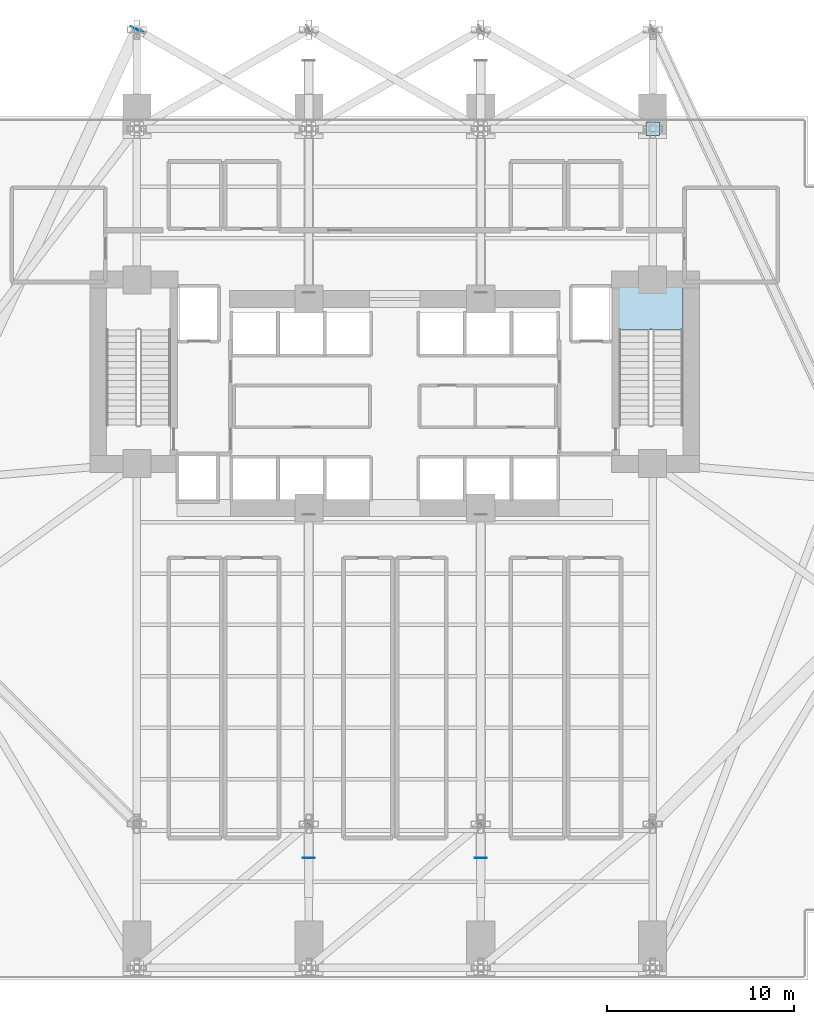
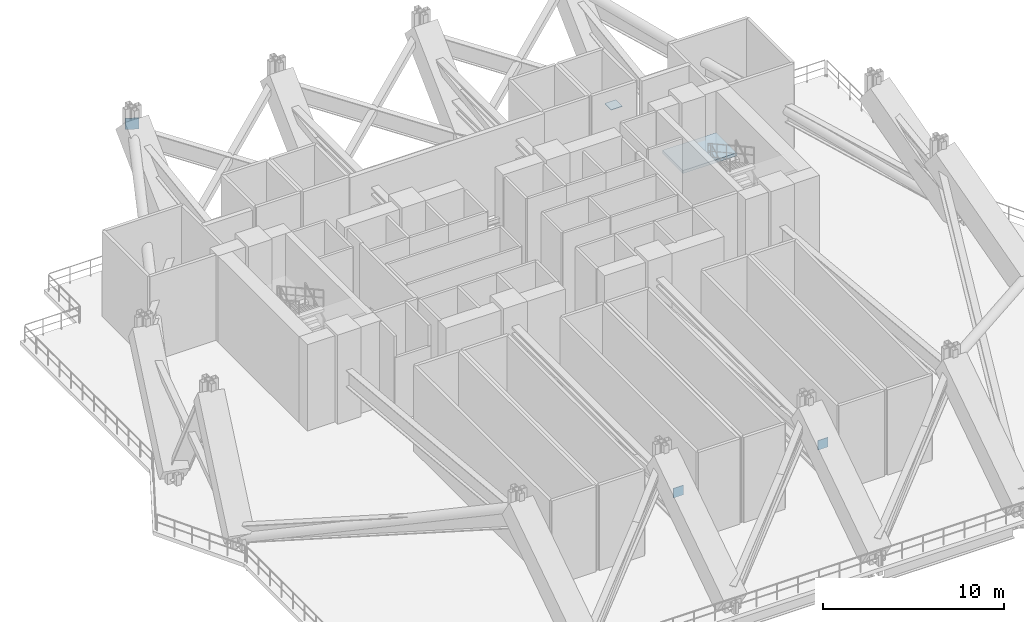
# One storey, part 9 of 21: 4 plates, 1 slab, 1 element without a shape of its own.
"""IFC4 building model written with IfcOpenShell, lengths in metres."""

from ifc_helpers import new_model, si_unit, direction, frame, origin, origin_2d, place, context, subcontext, project, spatial, polyline, rectangle, outline, extrude, material, layer, layer_set, type_object, element, aggregate, save


model = new_model("IFC4")

# Units and contexts
model_context = context("Model", 3, precision=1e-05, world=origin(), true_north=direction((0.0, 1.0)))
body_context = subcontext(model_context, "Body", "Model", "MODEL_VIEW")
ifc_project = project(units=[si_unit("LENGTHUNIT", "METRE"), si_unit("AREAUNIT", "SQUARE_METRE"), si_unit("VOLUMEUNIT", "CUBIC_METRE"), si_unit("PLANEANGLEUNIT", "RADIAN"), si_unit("MASSUNIT", "GRAM", prefix="KILO")], contexts=[model_context])

# Site, building, storey
site_placement = place(None, origin())
site = spatial("IfcSite", under=ifc_project, at=site_placement, CompositionType="ELEMENT")
building_placement = place(site_placement, origin())
building = spatial("IfcBuilding", under=site, at=building_placement, Name="Zuhayl Quay Hotel", CompositionType="ELEMENT")
storey_placement = place(building_placement, frame((0.0, 0.0, 89.64990234375)))
storey = spatial("IfcBuildingStorey", under=building, at=storey_placement, Name="L22", CompositionType="ELEMENT", Elevation=89.64990234375)

# Stair, slab
ifc_material_1 = material(Name="Concrete C45/55", Category="concrete")
stair_type = type_object("IfcStairType", Name="ST_DOGLEG_TOWER", PredefinedType="HALF_TURN_STAIR", material=ifc_material_1)
stair_placement = place(storey_placement, origin())
stair = element("IfcStair", 1, at=stair_placement, inside=storey, type_object=stair_type, Name="L22 Smokeproof Exit Stair ST2", PredefinedType="HALF_TURN_STAIR")
ifc_layer_1 = layer(ifc_material_1, 0.199951171875, Name="Concrete C45/55", Category="concrete")
ifc_layer_set_1 = layer_set([ifc_layer_1], Name="Concrete C45/55")
slab_type = type_object("IfcSlabType", Name="SL_STAIR_LANDING_200", PredefinedType="LANDING", material=ifc_layer_set_1)
slab_placement = place(storey_placement, frame((0.0, 0.0, 2.800048828125)))
slab = element("IfcSlab", 2, at=slab_placement, type_object=slab_type, Name="ST2 landing 1", PredefinedType="LANDING", context=body_context, shape_type="SweptSolid", body=[
    extrude(outline(polyline([(15.429931640625, 11.68994140625), (15.429931640625, 13.949951171875), (12.0, 13.949951171875), (12.0, 11.68994140625), (15.429931640625, 11.68994140625)])), origin(), (0.0, 0.0, 1.0), 0.199951171875),
])
aggregate(stair, [slab])

# Plates
ifc_material_2 = material(Name="Steel ASTM A572 Grade 50", Category="steel")
ifc_layer_2 = layer(ifc_material_2, 0.0400390625, Name="Steel ASTM A572 Grade 50", Category="steel")
ifc_layer_set_2 = layer_set([ifc_layer_2], Name="Steel ASTM A572 Grade 50")
plate_type = type_object("IfcPlateType", Name="TP_CAP_PLATE_40", PredefinedType="USERDEFINED", material=ifc_layer_set_2)
plate_1_placement = place(storey_placement, frame((13.800048828125, 22.449951171875, 0.24609375), z_axis=(0.0, 0.0, 1.0), x_axis=(1.0, 0.0, 0.0)))
element("IfcPlate", 3, at=plate_1_placement, inside=storey, type_object=plate_type, Name="Truss Node Cap Assembly KN1", ObjectType="GUSSET PLATE", PredefinedType="USERDEFINED", context=body_context, shape_type="SweptSolid", body=[
    extrude(rectangle(XDim=0.708984375, YDim=0.708984375, at=origin_2d()), origin(), (0.0, 0.0, 1.0), 0.0400390625),
])
for number, where, z_axis, x_axis, name in (
    (4, (-4.60009765625, -16.568115234375, 4.03173828125), (0.0, 0.0, 1.0), (0.0, -1.0, 0.0), "Truss Node Cap Assembly KN1"),
    (5, (4.60009765625, -16.568115234375, 4.03173828125), (0.0, 0.0, 1.0), (0.0, -1.0, 0.0), "Truss Node Cap Assembly KN1"),
):
    element("IfcPlate", number, at=place(storey_placement, frame(where, z_axis=z_axis, x_axis=x_axis)), inside=storey, type_object=plate_type, Name=name, ObjectType="GUSSET PLATE", PredefinedType="USERDEFINED", context=body_context, shape_type="SweptSolid", body=[
        extrude(rectangle(XDim=0.0400390625, YDim=0.639892578125, at=origin_2d()), origin(), (0.0, 0.0, 1.0), 0.639892578125),
    ])
plate_2_placement = place(storey_placement, frame((-13.79345703125, 27.764404296875, 5.077880859375), z_axis=(0.0, 0.0, 1.0), x_axis=(0.422301874901, 0.906455253421, 0.0)))
element("IfcPlate", 6, at=plate_2_placement, inside=storey, type_object=plate_type, Name="Truss Node Cap Assembly KN1", ObjectType="GUSSET PLATE", PredefinedType="USERDEFINED", context=body_context, shape_type="SweptSolid", body=[
    extrude(rectangle(XDim=0.0400390625, YDim=0.75, at=origin_2d()), origin(), (0.0, 0.0, 1.0), 0.75),
])

save(model, "model.ifc")
